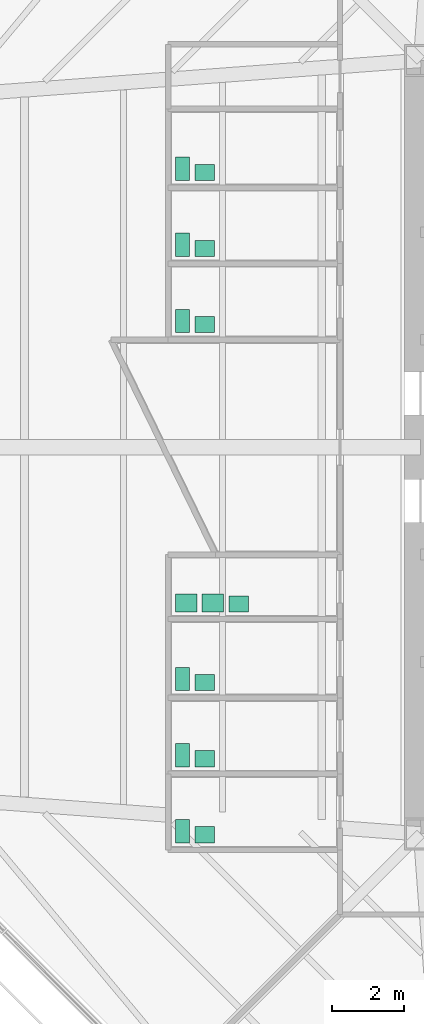
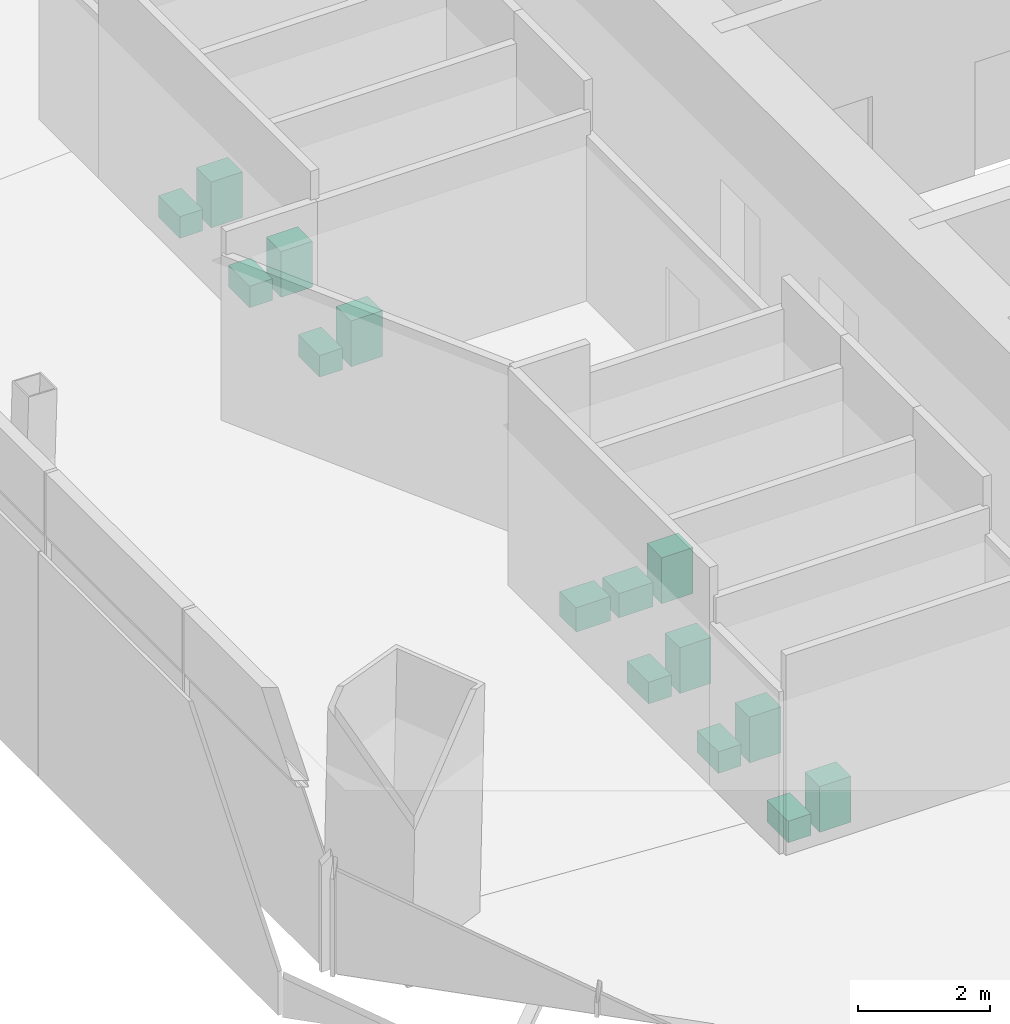
# One storey, part 17 of 17: 15 sanitary terminals.
"""IFC4 building model written with IfcOpenShell, lengths in metres."""

from ifc_helpers import new_model, si_unit, direction, frame, origin, origin_2d, place, context, subcontext, project, spatial, rectangle, extrude, material, type_object, element, save


model = new_model("IFC4")

# Units and contexts
model_context = context("Model", 3, precision=1e-05, world=origin(), true_north=direction((0.0, 1.0)))
body_context = subcontext(model_context, "Body", "Model", "MODEL_VIEW")
ifc_project = project(units=[si_unit("LENGTHUNIT", "METRE"), si_unit("AREAUNIT", "SQUARE_METRE"), si_unit("VOLUMEUNIT", "CUBIC_METRE"), si_unit("PLANEANGLEUNIT", "RADIAN"), si_unit("MASSUNIT", "GRAM", prefix="KILO")], contexts=[model_context])

# Site, building, storey
site_placement = place(None, origin())
site = spatial("IfcSite", under=ifc_project, at=site_placement, CompositionType="ELEMENT")
building_placement = place(site_placement, origin())
building = spatial("IfcBuilding", under=site, at=building_placement, Name="Mashrafa Tower", CompositionType="ELEMENT")
storey_placement = place(building_placement, frame((0.0, 0.0, 91.800048828125)))
storey = spatial("IfcBuildingStorey", under=building, at=storey_placement, Name="L20", CompositionType="ELEMENT", Elevation=91.800048828125)

# Sanitary terminals
ifc_material_1 = material(Name="Stainless steel", Category="steel")
sanitary_terminal_type_1 = type_object("IfcSanitaryTerminalType", Name="Ablution wash station 600 x 500", PredefinedType="WASHHANDBASIN", material=ifc_material_1)
for number, where, z_axis, x_axis, name in (
    (1, (-17.35009765625, -4.35009765625, 0.0), (0.0, 0.0, 1.0), (1.0, 0.0, 0.0), "Ablution wash station Ablution Room L20 S"),
    (2, (-16.60009765625, -4.35009765625, 0.0), (0.0, 0.0, 1.0), (1.0, 0.0, 0.0), "Ablution wash station Ablution Room L20 S"),
):
    element("IfcSanitaryTerminal", number, at=place(storey_placement, frame(where, z_axis=z_axis, x_axis=x_axis)), inside=storey, type_object=sanitary_terminal_type_1, Name=name, PredefinedType="WASHHANDBASIN", context=body_context, shape_type="SweptSolid", body=[
        extrude(rectangle(XDim=0.60009765625, YDim=0.5, at=origin_2d()), origin(), (0.0, 0.0, 1.0), 0.449951171875),
    ])
ifc_material_2 = material(Name="Vitreous china")
sanitary_terminal_type_2 = type_object("IfcSanitaryTerminalType", Name="Toilet pan 400 x 650", PredefinedType="TOILETPAN", material=ifc_material_2)
for number, where, z_axis, x_axis, name in (
    (3, (-17.449951171875, 3.52490234375, 0.0), (0.0, 0.0, 1.0), (1.0, 0.0, 0.0), "Toilet pan WC Female L20 N"),
    (4, (-17.449951171875, 5.64990234375, 0.0), (0.0, 0.0, 1.0), (1.0, 0.0, 0.0), "Toilet pan WC Male L20 N"),
    (5, (-17.449951171875, 7.77490234375, 0.0), (0.0, 0.0, 1.0), (1.0, 0.0, 0.0), "Toilet pan Accessible WC L20 N"),
    (6, (-17.449951171875, -10.72509765625, 0.0), (0.0, 0.0, 1.0), (1.0, 0.0, 0.0), "Toilet pan WC Female L20 S"),
    (7, (-17.449951171875, -8.60009765625, 0.0), (0.0, 0.0, 1.0), (1.0, 0.0, 0.0), "Toilet pan WC Male L20 S"),
    (8, (-17.449951171875, -6.47509765625, 0.0), (0.0, 0.0, 1.0), (1.0, 0.0, 0.0), "Toilet pan Accessible WC L20 S"),
):
    element("IfcSanitaryTerminal", number, at=place(storey_placement, frame(where, z_axis=z_axis, x_axis=x_axis)), inside=storey, type_object=sanitary_terminal_type_2, Name=name, PredefinedType="TOILETPAN", context=body_context, shape_type="SweptSolid", body=[
        extrude(rectangle(XDim=0.39990234375, YDim=0.64990234375, at=origin_2d()), origin(), (0.0, 0.0, 1.0), 0.39990234375),
    ])
ifc_material_3 = material(Name="Vitreous china")
sanitary_terminal_type_3 = type_object("IfcSanitaryTerminalType", Name="Wash basin 550 x 450", PredefinedType="WASHHANDBASIN", material=ifc_material_3)
for number, where, z_axis, x_axis, name in (
    (9, (-16.824951171875, 3.425048828125, 0.0), (0.0, 0.0, 1.0), (1.0, 0.0, 0.0), "Wash basin WC Female L20 N"),
    (10, (-16.824951171875, 5.550048828125, 0.0), (0.0, 0.0, 1.0), (1.0, 0.0, 0.0), "Wash basin WC Male L20 N"),
    (11, (-16.824951171875, 7.675048828125, 0.0), (0.0, 0.0, 1.0), (1.0, 0.0, 0.0), "Wash basin Accessible WC L20 N"),
    (12, (-16.824951171875, -10.824951171875, 0.0), (0.0, 0.0, 1.0), (1.0, 0.0, 0.0), "Wash basin WC Female L20 S"),
    (13, (-16.824951171875, -8.699951171875, 0.0), (0.0, 0.0, 1.0), (1.0, 0.0, 0.0), "Wash basin WC Male L20 S"),
    (14, (-16.824951171875, -6.574951171875, 0.0), (0.0, 0.0, 1.0), (1.0, 0.0, 0.0), "Wash basin Accessible WC L20 S"),
    (15, (-15.875, -4.375, 0.0), (0.0, 0.0, 1.0), (1.0, 0.0, 0.0), "Wash basin Ablution Room L20 S"),
):
    element("IfcSanitaryTerminal", number, at=place(storey_placement, frame(where, z_axis=z_axis, x_axis=x_axis)), inside=storey, type_object=sanitary_terminal_type_3, Name=name, PredefinedType="WASHHANDBASIN", context=body_context, shape_type="SweptSolid", body=[
        extrude(rectangle(XDim=0.550048828125, YDim=0.449951171875, at=origin_2d()), origin(), (0.0, 0.0, 1.0), 0.85009765625),
    ])

save(model, "model.ifc")
